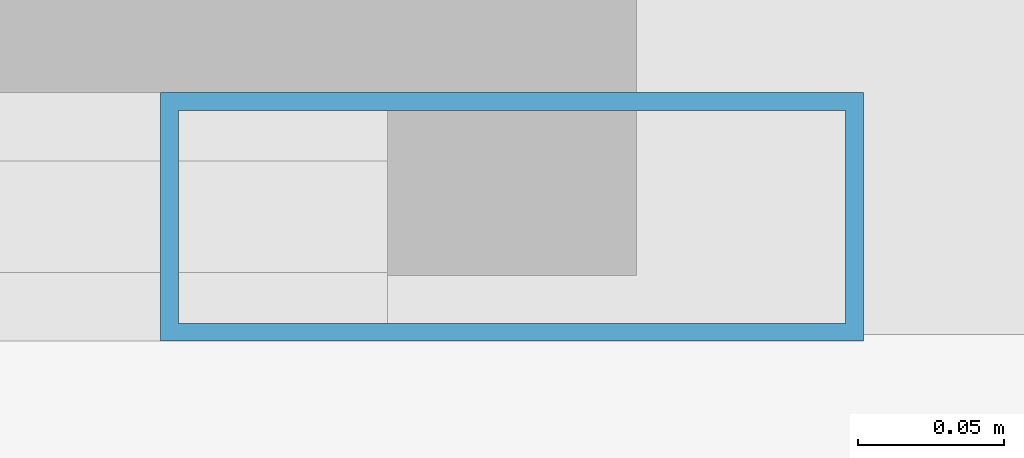
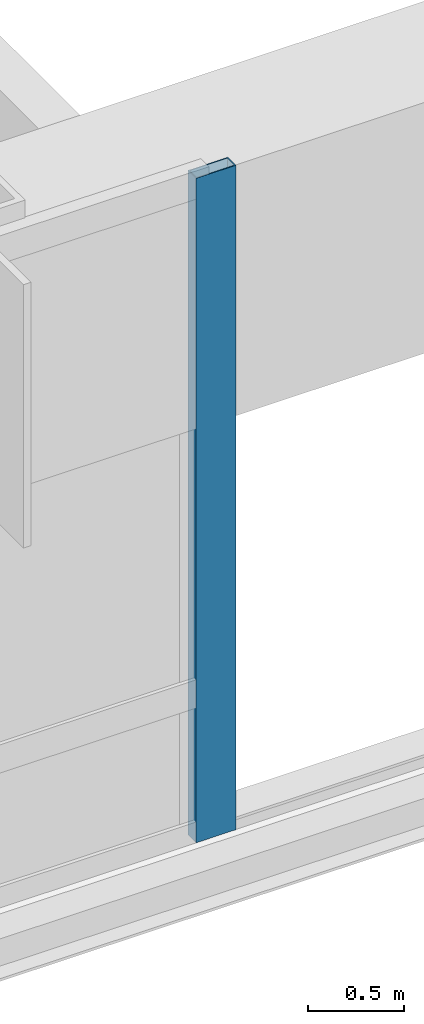
# One storey, part 7 of 27: 1 member, 1 element without a shape of its own.
"""IFC4 building model written with IfcOpenShell, lengths in metres."""

from ifc_helpers import new_model, si_unit, direction, frame, origin, origin_2d, place, context, subcontext, project, spatial, hollow_rectangle, extrude, material, material_profile, profile_set, type_object, element, aggregate, save


model = new_model("IFC4")

# Units and contexts
model_context = context("Model", 3, precision=1e-05, world=origin(), true_north=direction((0.0, 1.0)))
body_context = subcontext(model_context, "Body", "Model", "MODEL_VIEW")
ifc_project = project(units=[si_unit("LENGTHUNIT", "METRE"), si_unit("AREAUNIT", "SQUARE_METRE"), si_unit("VOLUMEUNIT", "CUBIC_METRE"), si_unit("PLANEANGLEUNIT", "RADIAN"), si_unit("MASSUNIT", "GRAM", prefix="KILO")], contexts=[model_context])

# Site, building, storey
site_placement = place(None, origin())
site = spatial("IfcSite", under=ifc_project, at=site_placement, CompositionType="ELEMENT")
building_placement = place(site_placement, origin())
building = spatial("IfcBuilding", under=site, at=building_placement, Name="Khoronbel Lancet Exchange", CompositionType="ELEMENT")
storey_placement = place(building_placement, frame((0.0, 0.0, 310.199951171875)))
storey = spatial("IfcBuildingStorey", under=building, at=storey_placement, Name="L80", CompositionType="ELEMENT", Elevation=310.199951171875)

# Curtain wall, member
ifc_material_1 = material(Name="Low-E Solar Control Insulating Glass", Category="glass")
curtain_wall_type = type_object("IfcCurtainWallType", Name="CW-3", PredefinedType="NOTDEFINED", material=ifc_material_1)
curtain_wall_placement = place(storey_placement, origin())
curtain_wall = element("IfcCurtainWall", 1, at=curtain_wall_placement, inside=storey, type_object=curtain_wall_type, Name="Unitised curtain wall CW-L80-SW-PIER", PredefinedType="NOTDEFINED")
ifc_material_2 = material(Name="Bronze-Anodised Aluminium 6063-T6", Category="aluminium")
ifc_material_profile = material_profile(ifc_material_2, hollow_rectangle(XDim=0.0849609375, YDim=0.239990234375, WallThickness=0.006103515625, at=origin_2d()), Name="ALU MULLION 85x240")
ifc_profile_set = profile_set([ifc_material_profile], Name="Bronze-Anodised Aluminium 6063-T6")
member_type = type_object("IfcMemberType", Name="MEM-CWM1", PredefinedType="MULLION", material=ifc_profile_set)
member_placement = place(storey_placement, frame((26.282470703125, 9.7900390625, 0.0), z_axis=(0.0, 0.0, 1.0), x_axis=(0.0, 1.0, 0.0)))
member = element("IfcMember", 2, at=member_placement, type_object=member_type, Name="CW3 mullion 2", PredefinedType="MULLION", context=body_context, shape_type="SweptSolid", body=[
    extrude(hollow_rectangle(XDim=0.0849609375, YDim=0.239990234375, WallThickness=0.006103515625, at=origin_2d()), origin(), (0.0, 0.0, 1.0), 4.239990234375),
])
aggregate(curtain_wall, [member])

save(model, "model.ifc")
